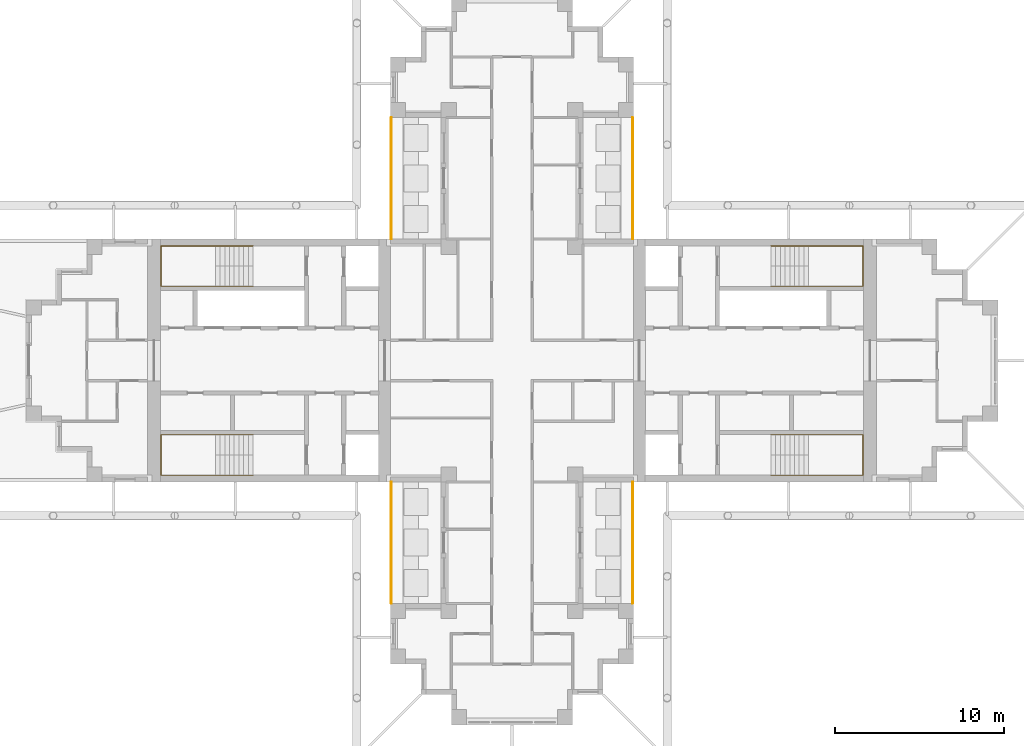
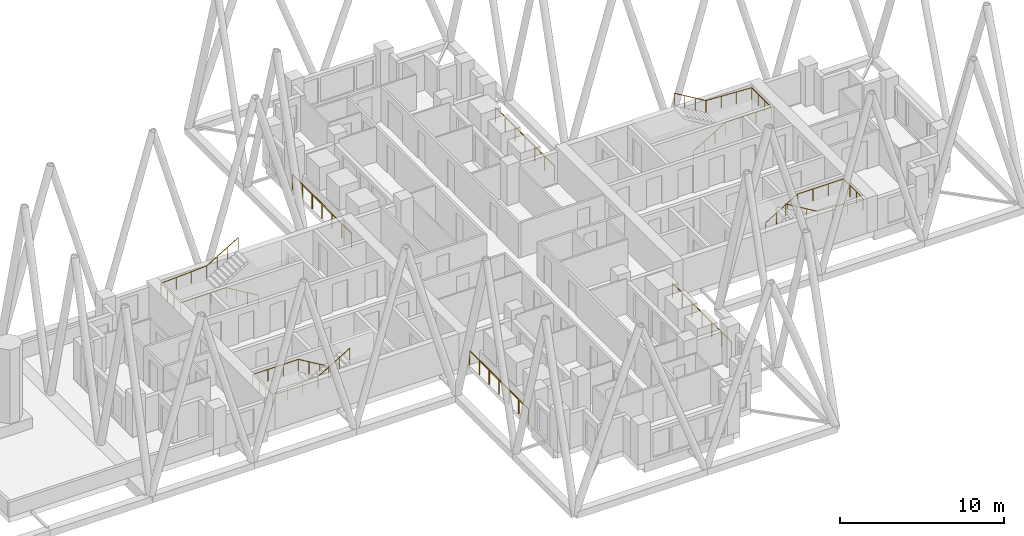
# One storey, part 10 of 11: 8 railings.
"""IFC4 building model written with IfcOpenShell, lengths in metres."""

from ifc_helpers import new_model, si_unit, direction, frame, origin, origin_2d, place, context, subcontext, project, spatial, circle, extrude, material, type_object, element, save


model = new_model("IFC4")

# Units and contexts
model_context = context("Model", 3, precision=1e-05, world=origin(), true_north=direction((0.0, 1.0)))
body_context = subcontext(model_context, "Body", "Model", "MODEL_VIEW")
ifc_project = project(units=[si_unit("LENGTHUNIT", "METRE"), si_unit("AREAUNIT", "SQUARE_METRE"), si_unit("VOLUMEUNIT", "CUBIC_METRE"), si_unit("PLANEANGLEUNIT", "RADIAN"), si_unit("MASSUNIT", "GRAM", prefix="KILO")], contexts=[model_context])

# Site, building, storey
site_placement = place(None, origin())
site = spatial("IfcSite", under=ifc_project, at=site_placement, CompositionType="ELEMENT")
building_placement = place(site_placement, origin())
building = spatial("IfcBuilding", under=site, at=building_placement, Name="Fustian Cross Tower", CompositionType="ELEMENT")
storey_placement = place(building_placement, frame((0.0, 0.0, 198.89990234375)))
storey = spatial("IfcBuildingStorey", under=building, at=storey_placement, Name="L62", CompositionType="ELEMENT", Elevation=198.89990234375)

# Railings
ifc_material_1 = material(Name="Stainless steel and glass", Category="steel")
railing_type_1 = type_object("IfcRailingType", Name="GR1 BALCONY GUARD 1100", PredefinedType="GUARDRAIL", material=ifc_material_1)
for number, where, name in (
    (1, (7.14990234375, 7.199951171875, 0.0), "Balcony guard"),
    (2, (-7.14990234375, 7.199951171875, 0.0), "Balcony guard"),
    (3, (7.14990234375, -14.39990234375, 0.0), "Balcony guard"),
    (4, (-7.14990234375, -14.39990234375, 0.0), "Balcony guard"),
):
    element("IfcRailing", number, at=place(storey_placement, frame(where)), inside=storey, type_object=railing_type_1, Name=name, PredefinedType="GUARDRAIL", context=body_context, shape_type="SweptSolid", body=[
        extrude(circle(Radius=0.02392578125, at=origin_2d()), frame((0.0, 0.0, 1.076171875), z_axis=(0.0, 1.0, 0.0), x_axis=(-1.0, 0.0, 0.0)), (0.0, 0.0, 1.0), 7.199951171875),
        extrude(circle(Radius=0.02099609375, at=origin_2d()), origin(), (0.0, 0.0, 1.0), 1.052001953125),
        extrude(circle(Radius=0.02099609375, at=origin_2d()), frame((0.0, 1.199951171875, 0.0)), (0.0, 0.0, 1.0), 1.052001953125),
        extrude(circle(Radius=0.02099609375, at=origin_2d()), frame((0.0, 2.39990234375, 0.0)), (0.0, 0.0, 1.0), 1.052001953125),
        extrude(circle(Radius=0.02099609375, at=origin_2d()), frame((0.0, 3.60009765625, 0.0)), (0.0, 0.0, 1.0), 1.052001953125),
        extrude(circle(Radius=0.02099609375, at=origin_2d()), frame((0.0, 4.800048828125, 0.0)), (0.0, 0.0, 1.0), 1.052001953125),
        extrude(circle(Radius=0.02099609375, at=origin_2d()), frame((0.0, 6.0, 0.0)), (0.0, 0.0, 1.0), 1.052001953125),
        extrude(circle(Radius=0.02099609375, at=origin_2d()), frame((0.0, 7.199951171875, 0.0)), (0.0, 0.0, 1.0), 1.052001953125),
    ])
ifc_material_2 = material(Name="Stainless steel", Category="steel")
railing_type_2 = type_object("IfcRailingType", Name="STAIR HANDRAIL", PredefinedType="HANDRAIL", material=ifc_material_2)
railing_1_placement = place(storey_placement, frame((15.35009765625, 4.39990234375, 0.166748046875)))
element("IfcRailing", 5, at=railing_1_placement, inside=storey, type_object=railing_type_2, Name="Stair ST1 handrail 1", PredefinedType="HANDRAIL", context=body_context, shape_type="SweptSolid", body=[
    extrude(circle(Radius=0.02490234375, at=origin_2d()), frame((0.0, 0.0, 0.875), z_axis=(0.859305625298, 0.0, 0.511462454469), x_axis=(0.0, 1.0, 0.0)), (0.0, 0.0, 1.0), 2.606689453125),
    extrude(circle(Radius=0.02490234375, at=origin_2d()), frame((2.239990234375, 0.0, 2.2080078125), z_axis=(1.0, 0.0, 0.0), x_axis=(0.0, 1.0, 0.0)), (0.0, 0.0, 1.0), 3.219970703125),
    extrude(circle(Radius=0.02490234375, at=origin_2d()), frame((5.4599609375, 0.0, 2.2080078125), z_axis=(0.0, 1.0, 0.0), x_axis=(-1.0, 0.0, 0.0)), (0.0, 0.0, 1.0), 2.400146484375),
    extrude(circle(Radius=0.02490234375, at=origin_2d()), frame((5.4599609375, 2.400146484375, 2.2080078125), z_axis=(-0.998661817807, 0.0, 0.051716280352), x_axis=(0.0, -1.0, 0.0)), (0.0, 0.0, 1.0), 3.224365234375),
    extrude(circle(Radius=0.02490234375, at=origin_2d()), frame((2.239990234375, 2.400146484375, 2.375), z_axis=(-0.859305625298, 0.0, 0.511462454469), x_axis=(0.0, -1.0, 0.0)), (0.0, 0.0, 1.0), 2.606689453125),
    extrude(circle(Radius=0.02001953125, at=origin_2d()), origin(), (0.0, 0.0, 1.0), 0.849853515625),
    extrude(circle(Radius=0.02001953125, at=origin_2d()), frame((0.74658203125, 0.0, 0.4443359375)), (0.0, 0.0, 1.0), 0.849853515625),
    extrude(circle(Radius=0.02001953125, at=origin_2d()), frame((1.493408203125, 0.0, 0.888916015625)), (0.0, 0.0, 1.0), 0.849853515625),
    extrude(circle(Radius=0.02001953125, at=origin_2d()), frame((2.239990234375, 0.0, 1.333251953125)), (0.0, 0.0, 1.0), 0.849853515625),
    extrude(circle(Radius=0.02001953125, at=origin_2d()), frame((3.313232421875, 0.0, 1.333251953125)), (0.0, 0.0, 1.0), 0.849853515625),
    extrude(circle(Radius=0.02001953125, at=origin_2d()), frame((4.38671875, 0.0, 1.333251953125)), (0.0, 0.0, 1.0), 0.849853515625),
    extrude(circle(Radius=0.02001953125, at=origin_2d()), frame((5.4599609375, 0.0, 1.333251953125)), (0.0, 0.0, 1.0), 0.849853515625),
    extrude(circle(Radius=0.02001953125, at=origin_2d()), frame((5.4599609375, 0.800048828125, 1.333251953125)), (0.0, 0.0, 1.0), 0.849853515625),
    extrude(circle(Radius=0.02001953125, at=origin_2d()), frame((5.4599609375, 1.60009765625, 1.333251953125)), (0.0, 0.0, 1.0), 0.849853515625),
    extrude(circle(Radius=0.02001953125, at=origin_2d()), frame((5.4599609375, 2.400146484375, 1.333251953125)), (0.0, 0.0, 1.0), 0.849853515625),
    extrude(circle(Radius=0.02001953125, at=origin_2d()), frame((4.38671875, 2.400146484375, 1.388916015625)), (0.0, 0.0, 1.0), 0.849853515625),
    extrude(circle(Radius=0.02001953125, at=origin_2d()), frame((3.313232421875, 2.400146484375, 1.4443359375)), (0.0, 0.0, 1.0), 0.849853515625),
    extrude(circle(Radius=0.02001953125, at=origin_2d()), frame((2.239990234375, 2.400146484375, 1.5)), (0.0, 0.0, 1.0), 0.849853515625),
    extrude(circle(Radius=0.02001953125, at=origin_2d()), frame((1.493408203125, 2.400146484375, 1.9443359375)), (0.0, 0.0, 1.0), 0.849853515625),
    extrude(circle(Radius=0.02001953125, at=origin_2d()), frame((0.74658203125, 2.400146484375, 2.388916015625)), (0.0, 0.0, 1.0), 0.849853515625),
    extrude(circle(Radius=0.02001953125, at=origin_2d()), frame((0.0, 2.400146484375, 2.833251953125)), (0.0, 0.0, 1.0), 0.849853515625),
])
railing_2_placement = place(storey_placement, frame((15.35009765625, -4.39990234375, 0.166748046875)))
element("IfcRailing", 6, at=railing_2_placement, inside=storey, type_object=railing_type_2, Name="Stair ST2 handrail 1", PredefinedType="HANDRAIL", context=body_context, shape_type="SweptSolid", body=[
    extrude(circle(Radius=0.02490234375, at=origin_2d()), frame((0.0, 0.0, 0.875), z_axis=(0.859305625298, 0.0, 0.511462454469), x_axis=(0.0, 1.0, 0.0)), (0.0, 0.0, 1.0), 2.606689453125),
    extrude(circle(Radius=0.02490234375, at=origin_2d()), frame((2.239990234375, 0.0, 2.2080078125), z_axis=(1.0, 0.0, 0.0), x_axis=(0.0, 1.0, 0.0)), (0.0, 0.0, 1.0), 3.219970703125),
    extrude(circle(Radius=0.02490234375, at=origin_2d()), frame((5.4599609375, 0.0, 2.2080078125), z_axis=(0.0, -1.0, 0.0), x_axis=(1.0, 0.0, 0.0)), (0.0, 0.0, 1.0), 2.400146484375),
    extrude(circle(Radius=0.02490234375, at=origin_2d()), frame((5.4599609375, -2.400146484375, 2.2080078125), z_axis=(-0.998661817807, 0.0, 0.051716280352), x_axis=(0.0, -1.0, 0.0)), (0.0, 0.0, 1.0), 3.224365234375),
    extrude(circle(Radius=0.02490234375, at=origin_2d()), frame((2.239990234375, -2.400146484375, 2.375), z_axis=(-0.859305625298, 0.0, 0.511462454469), x_axis=(0.0, -1.0, 0.0)), (0.0, 0.0, 1.0), 2.606689453125),
    extrude(circle(Radius=0.02001953125, at=origin_2d()), origin(), (0.0, 0.0, 1.0), 0.849853515625),
    extrude(circle(Radius=0.02001953125, at=origin_2d()), frame((0.74658203125, 0.0, 0.4443359375)), (0.0, 0.0, 1.0), 0.849853515625),
    extrude(circle(Radius=0.02001953125, at=origin_2d()), frame((1.493408203125, 0.0, 0.888916015625)), (0.0, 0.0, 1.0), 0.849853515625),
    extrude(circle(Radius=0.02001953125, at=origin_2d()), frame((2.239990234375, 0.0, 1.333251953125)), (0.0, 0.0, 1.0), 0.849853515625),
    extrude(circle(Radius=0.02001953125, at=origin_2d()), frame((3.313232421875, 0.0, 1.333251953125)), (0.0, 0.0, 1.0), 0.849853515625),
    extrude(circle(Radius=0.02001953125, at=origin_2d()), frame((4.38671875, 0.0, 1.333251953125)), (0.0, 0.0, 1.0), 0.849853515625),
    extrude(circle(Radius=0.02001953125, at=origin_2d()), frame((5.4599609375, 0.0, 1.333251953125)), (0.0, 0.0, 1.0), 0.849853515625),
    extrude(circle(Radius=0.02001953125, at=origin_2d()), frame((5.4599609375, -0.800048828125, 1.333251953125)), (0.0, 0.0, 1.0), 0.849853515625),
    extrude(circle(Radius=0.02001953125, at=origin_2d()), frame((5.4599609375, -1.60009765625, 1.333251953125)), (0.0, 0.0, 1.0), 0.849853515625),
    extrude(circle(Radius=0.02001953125, at=origin_2d()), frame((5.4599609375, -2.400146484375, 1.333251953125)), (0.0, 0.0, 1.0), 0.849853515625),
    extrude(circle(Radius=0.02001953125, at=origin_2d()), frame((4.38671875, -2.400146484375, 1.388916015625)), (0.0, 0.0, 1.0), 0.849853515625),
    extrude(circle(Radius=0.02001953125, at=origin_2d()), frame((3.313232421875, -2.400146484375, 1.4443359375)), (0.0, 0.0, 1.0), 0.849853515625),
    extrude(circle(Radius=0.02001953125, at=origin_2d()), frame((2.239990234375, -2.400146484375, 1.5)), (0.0, 0.0, 1.0), 0.849853515625),
    extrude(circle(Radius=0.02001953125, at=origin_2d()), frame((1.493408203125, -2.400146484375, 1.9443359375)), (0.0, 0.0, 1.0), 0.849853515625),
    extrude(circle(Radius=0.02001953125, at=origin_2d()), frame((0.74658203125, -2.400146484375, 2.388916015625)), (0.0, 0.0, 1.0), 0.849853515625),
    extrude(circle(Radius=0.02001953125, at=origin_2d()), frame((0.0, -2.400146484375, 2.833251953125)), (0.0, 0.0, 1.0), 0.849853515625),
])
railing_3_placement = place(storey_placement, frame((-15.35009765625, 4.39990234375, 0.166748046875)))
element("IfcRailing", 7, at=railing_3_placement, inside=storey, type_object=railing_type_2, Name="Stair ST3 handrail 1", PredefinedType="HANDRAIL", context=body_context, shape_type="SweptSolid", body=[
    extrude(circle(Radius=0.02490234375, at=origin_2d()), frame((0.0, 0.0, 0.875), z_axis=(-0.859305625298, 0.0, 0.511462454469), x_axis=(0.0, -1.0, 0.0)), (0.0, 0.0, 1.0), 2.606689453125),
    extrude(circle(Radius=0.02490234375, at=origin_2d()), frame((-2.239990234375, 0.0, 2.2080078125), z_axis=(-1.0, 0.0, 0.0), x_axis=(0.0, -1.0, 0.0)), (0.0, 0.0, 1.0), 3.219970703125),
    extrude(circle(Radius=0.02490234375, at=origin_2d()), frame((-5.4599609375, 0.0, 2.2080078125), z_axis=(0.0, 1.0, 0.0), x_axis=(-1.0, 0.0, 0.0)), (0.0, 0.0, 1.0), 2.400146484375),
    extrude(circle(Radius=0.02490234375, at=origin_2d()), frame((-5.4599609375, 2.400146484375, 2.2080078125), z_axis=(0.998661817807, 0.0, 0.051716280352), x_axis=(0.0, 1.0, 0.0)), (0.0, 0.0, 1.0), 3.224365234375),
    extrude(circle(Radius=0.02490234375, at=origin_2d()), frame((-2.239990234375, 2.400146484375, 2.375), z_axis=(0.859305625298, 0.0, 0.511462454469), x_axis=(0.0, 1.0, 0.0)), (0.0, 0.0, 1.0), 2.606689453125),
    extrude(circle(Radius=0.02001953125, at=origin_2d()), origin(), (0.0, 0.0, 1.0), 0.849853515625),
    extrude(circle(Radius=0.02001953125, at=origin_2d()), frame((-0.74658203125, 0.0, 0.4443359375)), (0.0, 0.0, 1.0), 0.849853515625),
    extrude(circle(Radius=0.02001953125, at=origin_2d()), frame((-1.493408203125, 0.0, 0.888916015625)), (0.0, 0.0, 1.0), 0.849853515625),
    extrude(circle(Radius=0.02001953125, at=origin_2d()), frame((-2.239990234375, 0.0, 1.333251953125)), (0.0, 0.0, 1.0), 0.849853515625),
    extrude(circle(Radius=0.02001953125, at=origin_2d()), frame((-3.313232421875, 0.0, 1.333251953125)), (0.0, 0.0, 1.0), 0.849853515625),
    extrude(circle(Radius=0.02001953125, at=origin_2d()), frame((-4.38671875, 0.0, 1.333251953125)), (0.0, 0.0, 1.0), 0.849853515625),
    extrude(circle(Radius=0.02001953125, at=origin_2d()), frame((-5.4599609375, 0.0, 1.333251953125)), (0.0, 0.0, 1.0), 0.849853515625),
    extrude(circle(Radius=0.02001953125, at=origin_2d()), frame((-5.4599609375, 0.800048828125, 1.333251953125)), (0.0, 0.0, 1.0), 0.849853515625),
    extrude(circle(Radius=0.02001953125, at=origin_2d()), frame((-5.4599609375, 1.60009765625, 1.333251953125)), (0.0, 0.0, 1.0), 0.849853515625),
    extrude(circle(Radius=0.02001953125, at=origin_2d()), frame((-5.4599609375, 2.400146484375, 1.333251953125)), (0.0, 0.0, 1.0), 0.849853515625),
    extrude(circle(Radius=0.02001953125, at=origin_2d()), frame((-4.38671875, 2.400146484375, 1.388916015625)), (0.0, 0.0, 1.0), 0.849853515625),
    extrude(circle(Radius=0.02001953125, at=origin_2d()), frame((-3.313232421875, 2.400146484375, 1.4443359375)), (0.0, 0.0, 1.0), 0.849853515625),
    extrude(circle(Radius=0.02001953125, at=origin_2d()), frame((-2.239990234375, 2.400146484375, 1.5)), (0.0, 0.0, 1.0), 0.849853515625),
    extrude(circle(Radius=0.02001953125, at=origin_2d()), frame((-1.493408203125, 2.400146484375, 1.9443359375)), (0.0, 0.0, 1.0), 0.849853515625),
    extrude(circle(Radius=0.02001953125, at=origin_2d()), frame((-0.74658203125, 2.400146484375, 2.388916015625)), (0.0, 0.0, 1.0), 0.849853515625),
    extrude(circle(Radius=0.02001953125, at=origin_2d()), frame((0.0, 2.400146484375, 2.833251953125)), (0.0, 0.0, 1.0), 0.849853515625),
])
railing_4_placement = place(storey_placement, frame((-15.35009765625, -4.39990234375, 0.166748046875)))
element("IfcRailing", 8, at=railing_4_placement, inside=storey, type_object=railing_type_2, Name="Stair ST4 handrail 1", PredefinedType="HANDRAIL", context=body_context, shape_type="SweptSolid", body=[
    extrude(circle(Radius=0.02490234375, at=origin_2d()), frame((0.0, 0.0, 0.875), z_axis=(-0.859305625298, 0.0, 0.511462454469), x_axis=(0.0, -1.0, 0.0)), (0.0, 0.0, 1.0), 2.606689453125),
    extrude(circle(Radius=0.02490234375, at=origin_2d()), frame((-2.239990234375, 0.0, 2.2080078125), z_axis=(-1.0, 0.0, 0.0), x_axis=(0.0, -1.0, 0.0)), (0.0, 0.0, 1.0), 3.219970703125),
    extrude(circle(Radius=0.02490234375, at=origin_2d()), frame((-5.4599609375, 0.0, 2.2080078125), z_axis=(0.0, -1.0, 0.0), x_axis=(1.0, 0.0, 0.0)), (0.0, 0.0, 1.0), 2.400146484375),
    extrude(circle(Radius=0.02490234375, at=origin_2d()), frame((-5.4599609375, -2.400146484375, 2.2080078125), z_axis=(0.998661817807, 0.0, 0.051716280352), x_axis=(0.0, 1.0, 0.0)), (0.0, 0.0, 1.0), 3.224365234375),
    extrude(circle(Radius=0.02490234375, at=origin_2d()), frame((-2.239990234375, -2.400146484375, 2.375), z_axis=(0.859305625298, 0.0, 0.511462454469), x_axis=(0.0, 1.0, 0.0)), (0.0, 0.0, 1.0), 2.606689453125),
    extrude(circle(Radius=0.02001953125, at=origin_2d()), origin(), (0.0, 0.0, 1.0), 0.849853515625),
    extrude(circle(Radius=0.02001953125, at=origin_2d()), frame((-0.74658203125, 0.0, 0.4443359375)), (0.0, 0.0, 1.0), 0.849853515625),
    extrude(circle(Radius=0.02001953125, at=origin_2d()), frame((-1.493408203125, 0.0, 0.888916015625)), (0.0, 0.0, 1.0), 0.849853515625),
    extrude(circle(Radius=0.02001953125, at=origin_2d()), frame((-2.239990234375, 0.0, 1.333251953125)), (0.0, 0.0, 1.0), 0.849853515625),
    extrude(circle(Radius=0.02001953125, at=origin_2d()), frame((-3.313232421875, 0.0, 1.333251953125)), (0.0, 0.0, 1.0), 0.849853515625),
    extrude(circle(Radius=0.02001953125, at=origin_2d()), frame((-4.38671875, 0.0, 1.333251953125)), (0.0, 0.0, 1.0), 0.849853515625),
    extrude(circle(Radius=0.02001953125, at=origin_2d()), frame((-5.4599609375, 0.0, 1.333251953125)), (0.0, 0.0, 1.0), 0.849853515625),
    extrude(circle(Radius=0.02001953125, at=origin_2d()), frame((-5.4599609375, -0.800048828125, 1.333251953125)), (0.0, 0.0, 1.0), 0.849853515625),
    extrude(circle(Radius=0.02001953125, at=origin_2d()), frame((-5.4599609375, -1.60009765625, 1.333251953125)), (0.0, 0.0, 1.0), 0.849853515625),
    extrude(circle(Radius=0.02001953125, at=origin_2d()), frame((-5.4599609375, -2.400146484375, 1.333251953125)), (0.0, 0.0, 1.0), 0.849853515625),
    extrude(circle(Radius=0.02001953125, at=origin_2d()), frame((-4.38671875, -2.400146484375, 1.388916015625)), (0.0, 0.0, 1.0), 0.849853515625),
    extrude(circle(Radius=0.02001953125, at=origin_2d()), frame((-3.313232421875, -2.400146484375, 1.4443359375)), (0.0, 0.0, 1.0), 0.849853515625),
    extrude(circle(Radius=0.02001953125, at=origin_2d()), frame((-2.239990234375, -2.400146484375, 1.5)), (0.0, 0.0, 1.0), 0.849853515625),
    extrude(circle(Radius=0.02001953125, at=origin_2d()), frame((-1.493408203125, -2.400146484375, 1.9443359375)), (0.0, 0.0, 1.0), 0.849853515625),
    extrude(circle(Radius=0.02001953125, at=origin_2d()), frame((-0.74658203125, -2.400146484375, 2.388916015625)), (0.0, 0.0, 1.0), 0.849853515625),
    extrude(circle(Radius=0.02001953125, at=origin_2d()), frame((0.0, -2.400146484375, 2.833251953125)), (0.0, 0.0, 1.0), 0.849853515625),
])

save(model, "model.ifc")
